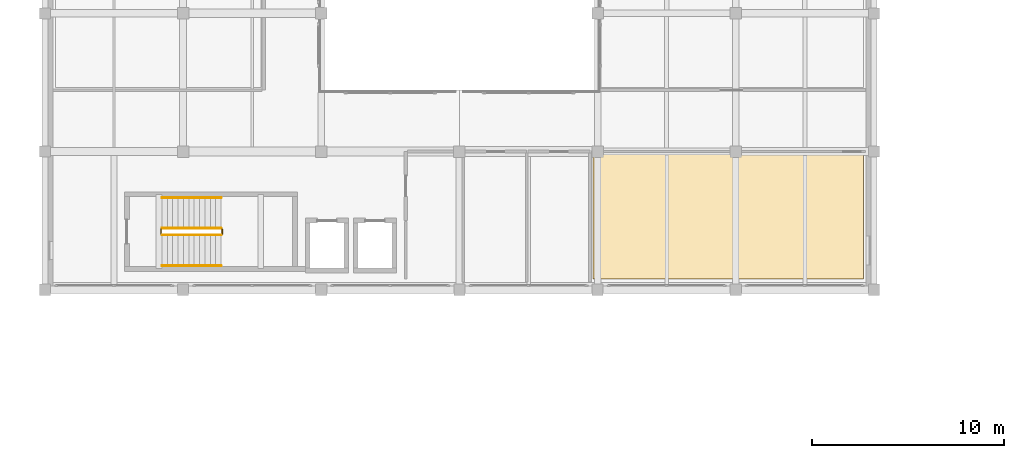
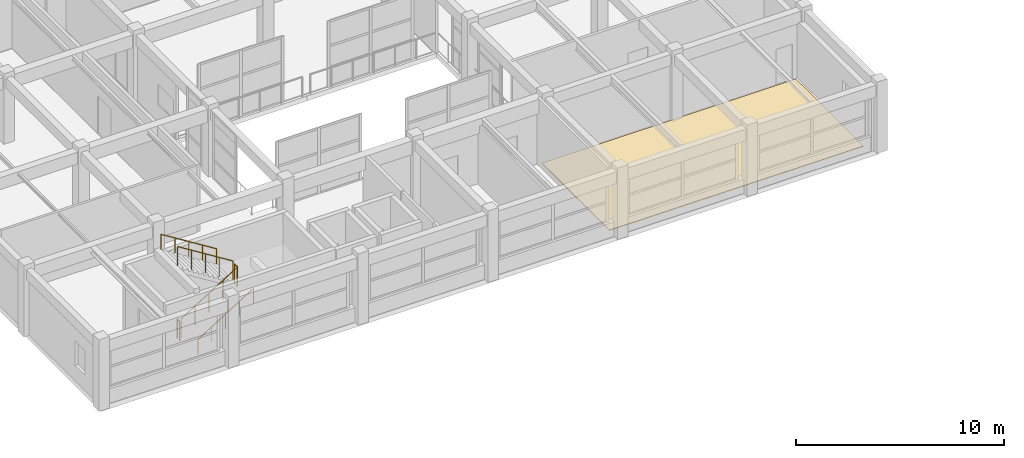
# One storey, part 45 of 49: 6 railings, 1 covering.
"""IFC4 building model written with IfcOpenShell, lengths in metres."""

from ifc_helpers import new_model, si_unit, direction, frame, origin, origin_2d, place, context, subcontext, project, spatial, polyline, circle, outline, extrude, material, layer, layer_set, type_object, element, save


model = new_model("IFC4")

# Units and contexts
model_context = context("Model", 3, precision=1e-05, world=origin(), true_north=direction((0.0, 1.0)))
body_context = subcontext(model_context, "Body", "Model", "MODEL_VIEW")
ifc_project = project(units=[si_unit("LENGTHUNIT", "METRE"), si_unit("AREAUNIT", "SQUARE_METRE"), si_unit("VOLUMEUNIT", "CUBIC_METRE"), si_unit("PLANEANGLEUNIT", "RADIAN"), si_unit("MASSUNIT", "GRAM", prefix="KILO")], contexts=[model_context])

# Site, building, storey
site_placement = place(None, origin())
site = spatial("IfcSite", under=ifc_project, at=site_placement, CompositionType="ELEMENT")
building_placement = place(site_placement, origin())
building = spatial("IfcBuilding", under=site, at=building_placement, Name="Bramveld Media Centre", CompositionType="ELEMENT")
storey_placement = place(building_placement, frame((0.0, 0.0, 9.60009765625)))
storey = spatial("IfcBuildingStorey", under=building, at=storey_placement, Name="L02", CompositionType="ELEMENT", Elevation=9.60009765625)

# Covering
ifc_material_1 = material(Name="Anti-static acoustic linoleum editing & vault flooring")
ifc_layer = layer(ifc_material_1, 0.0400390625)
ifc_layer_set = layer_set([ifc_layer], Name="Anti-static acoustic linoleum editing & vault flooring")
covering_type = type_object("IfcCoveringType", Name="COV-FLOOR-03", PredefinedType="FLOORING", material=ifc_layer_set)
covering_placement = place(storey_placement, origin())
element("IfcCovering", 1, at=covering_placement, inside=storey, type_object=covering_type, Name="Ambisonic Listening Studio finish flooring", PredefinedType="FLOORING", context=body_context, shape_type="SweptSolid", body=[
    extrude(outline(polyline([(94.14990234375, 90.949951171875), (108.25, 90.949951171875), (108.25, 97.449951171875), (94.14990234375, 97.449951171875), (94.14990234375, 90.949951171875)])), origin(), (0.0, 0.0, 1.0), 0.039794921875),
])

# Railings
ifc_material_2 = material(Name="Painted galvanized steel stairwell guardrail", Category="steel")
railing_type_1 = type_object("IfcRailingType", Name="RAIL-STAIR-GUARD-1150", PredefinedType="GUARDRAIL", material=ifc_material_2)
railing_1_placement = place(storey_placement, frame((71.699951171875, 93.25, 0.1748046875)))
element("IfcRailing", 2, at=railing_1_placement, inside=storey, type_object=railing_type_1, Name="L02 ST-07 stair guard 1", PredefinedType="GUARDRAIL", context=body_context, shape_type="SweptSolid", body=[
    extrude(circle(Radius=0.02392578125, at=origin_2d()), frame((0.0, 0.0, 1.1259765625), z_axis=(0.847998304005, 0.0, 0.529998940003), x_axis=(0.0, 1.0, 0.0)), (0.0, 0.0, 1.0), 3.632080078125),
    extrude(circle(Radius=0.02099609375, at=origin_2d()), origin(), (0.0, 0.0, 1.0), 1.101806640625),
    extrude(circle(Radius=0.02099609375, at=origin_2d()), frame((0.77001953125, 0.0, 0.481201171875)), (0.0, 0.0, 1.0), 1.101806640625),
    extrude(circle(Radius=0.02099609375, at=origin_2d()), frame((1.5400390625, 0.0, 0.96240234375)), (0.0, 0.0, 1.0), 1.101806640625),
    extrude(circle(Radius=0.02099609375, at=origin_2d()), frame((2.31005859375, 0.0, 1.44384765625)), (0.0, 0.0, 1.0), 1.101806640625),
    extrude(circle(Radius=0.02099609375, at=origin_2d()), frame((3.080078125, 0.0, 1.925048828125)), (0.0, 0.0, 1.0), 1.101806640625),
])
railing_2_placement = place(storey_placement, frame((74.830078125, 93.300048828125, 2.099853515625)))
element("IfcRailing", 3, at=railing_2_placement, inside=storey, type_object=railing_type_1, Name="L02 ST-07 stair guard 2", PredefinedType="GUARDRAIL", context=body_context, shape_type="SweptSolid", body=[
    extrude(circle(Radius=0.02392578125, at=origin_2d()), frame((0.0, 0.0, 1.1259765625), z_axis=(0.0, 1.0, 0.0), x_axis=(-1.0, 0.0, 0.0)), (0.0, 0.0, 1.0), 0.25),
    extrude(circle(Radius=0.02099609375, at=origin_2d()), origin(), (0.0, 0.0, 1.0), 1.101806640625),
    extrude(circle(Radius=0.02099609375, at=origin_2d()), frame((0.0, 0.25, 0.0)), (0.0, 0.0, 1.0), 1.101806640625),
])
railing_3_placement = place(storey_placement, frame((74.780029296875, 93.60009765625, 2.27490234375)))
element("IfcRailing", 4, at=railing_3_placement, inside=storey, type_object=railing_type_1, Name="L02 ST-07 stair guard 3", PredefinedType="GUARDRAIL", context=body_context, shape_type="SweptSolid", body=[
    extrude(circle(Radius=0.02392578125, at=origin_2d()), frame((0.0, 0.0, 1.1259765625), z_axis=(-0.847998304005, 0.0, 0.529998940003), x_axis=(0.0, -1.0, 0.0)), (0.0, 0.0, 1.0), 3.632080078125),
    extrude(circle(Radius=0.02099609375, at=origin_2d()), origin(), (0.0, 0.0, 1.0), 1.101806640625),
    extrude(circle(Radius=0.02099609375, at=origin_2d()), frame((-0.77001953125, 0.0, 0.481201171875)), (0.0, 0.0, 1.0), 1.101806640625),
    extrude(circle(Radius=0.02099609375, at=origin_2d()), frame((-1.5400390625, 0.0, 0.96240234375)), (0.0, 0.0, 1.0), 1.101806640625),
    extrude(circle(Radius=0.02099609375, at=origin_2d()), frame((-2.31005859375, 0.0, 1.44384765625)), (0.0, 0.0, 1.0), 1.101806640625),
    extrude(circle(Radius=0.02099609375, at=origin_2d()), frame((-3.080078125, 0.0, 1.925048828125)), (0.0, 0.0, 1.0), 1.101806640625),
])
railing_4_placement = place(storey_placement, frame((71.64990234375, 93.300048828125, 0.0)))
element("IfcRailing", 5, at=railing_4_placement, inside=storey, type_object=railing_type_1, Name="L02 ST-07 stair guard 4", PredefinedType="GUARDRAIL", context=body_context, shape_type="SweptSolid", body=[
    extrude(circle(Radius=0.02392578125, at=origin_2d()), frame((0.0, 0.0, 1.1259765625), z_axis=(0.0, 1.0, 0.0), x_axis=(-1.0, 0.0, 0.0)), (0.0, 0.0, 1.0), 0.25),
    extrude(circle(Radius=0.02099609375, at=origin_2d()), origin(), (0.0, 0.0, 1.0), 1.101806640625),
    extrude(circle(Radius=0.02099609375, at=origin_2d()), frame((0.0, 0.25, 0.0)), (0.0, 0.0, 1.0), 1.101806640625),
])
ifc_material_3 = material(Name="Brushed stainless steel tubular stair handrail", Category="steel")
railing_type_2 = type_object("IfcRailingType", Name="RAIL-STAIR-HAND-0920", PredefinedType="HANDRAIL", material=ifc_material_3)
railing_5_placement = place(storey_placement, frame((71.699951171875, 91.64990234375, 0.1748046875)))
element("IfcRailing", 6, at=railing_5_placement, inside=storey, type_object=railing_type_2, Name="L02 ST-07 stair handrail 1", PredefinedType="HANDRAIL", context=body_context, shape_type="SweptSolid", body=[
    extrude(circle(Radius=0.02392578125, at=origin_2d()), frame((0.0, 0.0, 0.8759765625), z_axis=(0.847998304005, 0.0, 0.529998940003), x_axis=(0.0, 1.0, 0.0)), (0.0, 0.0, 1.0), 3.632080078125),
    extrude(circle(Radius=0.02099609375, at=origin_2d()), origin(), (0.0, 0.0, 1.0), 0.851806640625),
    extrude(circle(Radius=0.02099609375, at=origin_2d()), frame((0.77001953125, 0.0, 0.481201171875)), (0.0, 0.0, 1.0), 0.851806640625),
    extrude(circle(Radius=0.02099609375, at=origin_2d()), frame((1.5400390625, 0.0, 0.96240234375)), (0.0, 0.0, 1.0), 0.851806640625),
    extrude(circle(Radius=0.02099609375, at=origin_2d()), frame((2.31005859375, 0.0, 1.44384765625)), (0.0, 0.0, 1.0), 0.851806640625),
    extrude(circle(Radius=0.02099609375, at=origin_2d()), frame((3.080078125, 0.0, 1.925048828125)), (0.0, 0.0, 1.0), 0.851806640625),
])
railing_6_placement = place(storey_placement, frame((74.780029296875, 95.199951171875, 2.27490234375)))
element("IfcRailing", 7, at=railing_6_placement, inside=storey, type_object=railing_type_2, Name="L02 ST-07 stair handrail 2", PredefinedType="HANDRAIL", context=body_context, shape_type="SweptSolid", body=[
    extrude(circle(Radius=0.02392578125, at=origin_2d()), frame((0.0, 0.0, 0.8759765625), z_axis=(-0.847998304005, 0.0, 0.529998940003), x_axis=(0.0, -1.0, 0.0)), (0.0, 0.0, 1.0), 3.632080078125),
    extrude(circle(Radius=0.02099609375, at=origin_2d()), origin(), (0.0, 0.0, 1.0), 0.851806640625),
    extrude(circle(Radius=0.02099609375, at=origin_2d()), frame((-0.77001953125, 0.0, 0.481201171875)), (0.0, 0.0, 1.0), 0.851806640625),
    extrude(circle(Radius=0.02099609375, at=origin_2d()), frame((-1.5400390625, 0.0, 0.96240234375)), (0.0, 0.0, 1.0), 0.851806640625),
    extrude(circle(Radius=0.02099609375, at=origin_2d()), frame((-2.31005859375, 0.0, 1.44384765625)), (0.0, 0.0, 1.0), 0.851806640625),
    extrude(circle(Radius=0.02099609375, at=origin_2d()), frame((-3.080078125, 0.0, 1.925048828125)), (0.0, 0.0, 1.0), 0.851806640625),
])

save(model, "model.ifc")
